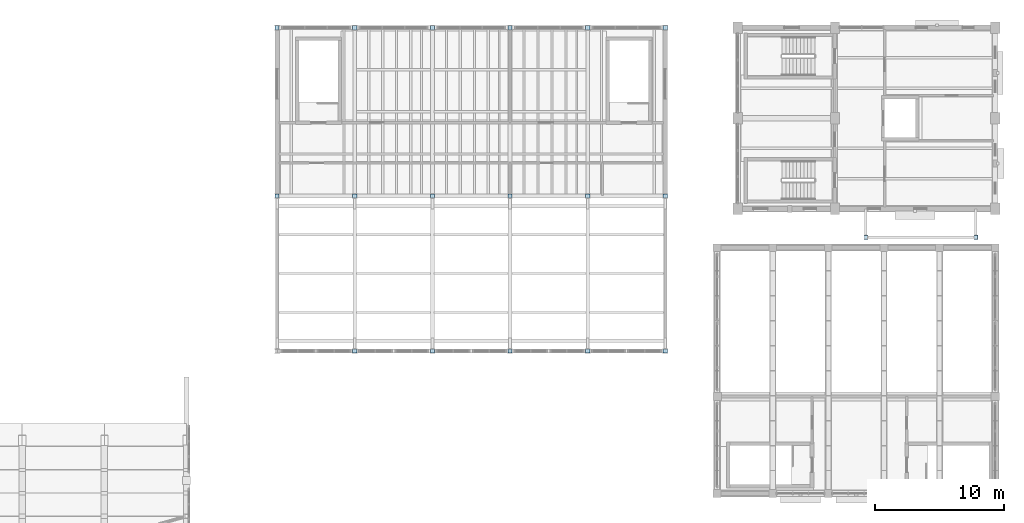
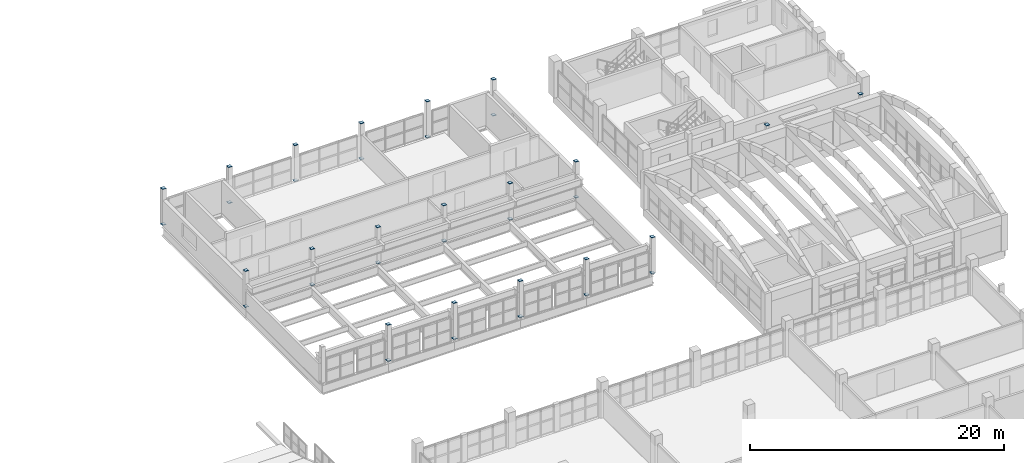
# One storey, part 59 of 77: 36 plates.
"""IFC4 building model written with IfcOpenShell, lengths in metres."""

from ifc_helpers import new_model, si_unit, direction, frame, origin, origin_2d, place, context, subcontext, project, spatial, rectangle, extrude, material, layer, layer_set, type_object, element, save


model = new_model("IFC4")

# Units and contexts
model_context = context("Model", 3, precision=1e-05, world=origin(), true_north=direction((0.0, 1.0)))
body_context = subcontext(model_context, "Body", "Model", "MODEL_VIEW")
ifc_project = project(units=[si_unit("LENGTHUNIT", "METRE"), si_unit("AREAUNIT", "SQUARE_METRE"), si_unit("VOLUMEUNIT", "CUBIC_METRE"), si_unit("PLANEANGLEUNIT", "RADIAN"), si_unit("MASSUNIT", "GRAM", prefix="KILO")], contexts=[model_context])

# Site, building, storey
site_placement = place(None, origin())
site = spatial("IfcSite", under=ifc_project, at=site_placement, CompositionType="ELEMENT")
building_placement = place(site_placement, origin())
building = spatial("IfcBuilding", under=site, at=building_placement, Name="Trellovar Central Fire Station", CompositionType="ELEMENT")
storey_placement = place(building_placement, frame((0.0, 0.0, 5.85009765625)))
storey = spatial("IfcBuildingStorey", under=building, at=storey_placement, Name="L02", CompositionType="ELEMENT", Elevation=5.85009765625)

# Plates
ifc_material = material(Name="Steel ASTM A36", Category="steel")
ifc_layer = layer(ifc_material, 0.02392578125)
ifc_layer_set = layer_set([ifc_layer], Name="Steel ASTM A36")
plate_type = type_object("IfcPlateType", Name="PLT-EP1", PredefinedType="SHEET", material=ifc_layer_set)
for number, where, z_axis, x_axis, name in (
    (1, (151.0, 56.800048828125, 3.43798828125), (0.0, 0.0, 1.0), (1.0, 0.0, 0.0), "HSS end-cap plate 99"),
    (2, (159.5, 56.800048828125, 3.43798828125), (0.0, 0.0, 1.0), (1.0, 0.0, 0.0), "HSS end-cap plate 100"),
    (3, (105.5, 60.0, -0.011962890625), (0.0, 0.0, 1.0), (1.0, 0.0, 0.0), "HSS end-cap plate 306"),
    (4, (105.5, 60.0, 3.43798828125), (0.0, 0.0, 1.0), (1.0, 0.0, 0.0), "HSS end-cap plate 307"),
    (5, (105.5, 73.0, -0.011962890625), (0.0, 0.0, 1.0), (1.0, 0.0, 0.0), "HSS end-cap plate 308"),
    (6, (105.5, 73.0, 3.43798828125), (0.0, 0.0, 1.0), (1.0, 0.0, 0.0), "HSS end-cap plate 309"),
    (7, (111.5, 48.0, -0.011962890625), (0.0, 0.0, 1.0), (1.0, 0.0, 0.0), "HSS end-cap plate 310"),
    (8, (111.5, 48.0, 3.43798828125), (0.0, 0.0, 1.0), (1.0, 0.0, 0.0), "HSS end-cap plate 311"),
    (9, (111.5, 60.0, -0.011962890625), (0.0, 0.0, 1.0), (1.0, 0.0, 0.0), "HSS end-cap plate 312"),
    (10, (111.5, 60.0, 3.43798828125), (0.0, 0.0, 1.0), (1.0, 0.0, 0.0), "HSS end-cap plate 313"),
    (11, (111.5, 73.0, -0.011962890625), (0.0, 0.0, 1.0), (1.0, 0.0, 0.0), "HSS end-cap plate 314"),
    (12, (111.5, 73.0, 3.43798828125), (0.0, 0.0, 1.0), (1.0, 0.0, 0.0), "HSS end-cap plate 315"),
    (13, (117.5, 48.0, -0.011962890625), (0.0, 0.0, 1.0), (1.0, 0.0, 0.0), "HSS end-cap plate 316"),
    (14, (117.5, 48.0, 3.43798828125), (0.0, 0.0, 1.0), (1.0, 0.0, 0.0), "HSS end-cap plate 317"),
    (15, (117.5, 60.0, -0.011962890625), (0.0, 0.0, 1.0), (1.0, 0.0, 0.0), "HSS end-cap plate 318"),
    (16, (117.5, 60.0, 3.43798828125), (0.0, 0.0, 1.0), (1.0, 0.0, 0.0), "HSS end-cap plate 319"),
    (17, (117.5, 73.0, -0.011962890625), (0.0, 0.0, 1.0), (1.0, 0.0, 0.0), "HSS end-cap plate 320"),
    (18, (117.5, 73.0, 3.43798828125), (0.0, 0.0, 1.0), (1.0, 0.0, 0.0), "HSS end-cap plate 321"),
    (19, (123.5, 48.0, -0.011962890625), (0.0, 0.0, 1.0), (1.0, 0.0, 0.0), "HSS end-cap plate 322"),
    (20, (123.5, 48.0, 3.43798828125), (0.0, 0.0, 1.0), (1.0, 0.0, 0.0), "HSS end-cap plate 323"),
    (21, (123.5, 60.0, -0.011962890625), (0.0, 0.0, 1.0), (1.0, 0.0, 0.0), "HSS end-cap plate 324"),
    (22, (123.5, 60.0, 3.43798828125), (0.0, 0.0, 1.0), (1.0, 0.0, 0.0), "HSS end-cap plate 325"),
    (23, (123.5, 73.0, -0.011962890625), (0.0, 0.0, 1.0), (1.0, 0.0, 0.0), "HSS end-cap plate 326"),
    (24, (123.5, 73.0, 3.43798828125), (0.0, 0.0, 1.0), (1.0, 0.0, 0.0), "HSS end-cap plate 327"),
    (25, (129.5, 48.0, -0.011962890625), (0.0, 0.0, 1.0), (1.0, 0.0, 0.0), "HSS end-cap plate 328"),
    (26, (129.5, 48.0, 3.43798828125), (0.0, 0.0, 1.0), (1.0, 0.0, 0.0), "HSS end-cap plate 329"),
    (27, (129.5, 60.0, -0.011962890625), (0.0, 0.0, 1.0), (1.0, 0.0, 0.0), "HSS end-cap plate 330"),
    (28, (129.5, 60.0, 3.43798828125), (0.0, 0.0, 1.0), (1.0, 0.0, 0.0), "HSS end-cap plate 331"),
    (29, (129.5, 73.0, -0.011962890625), (0.0, 0.0, 1.0), (1.0, 0.0, 0.0), "HSS end-cap plate 332"),
    (30, (129.5, 73.0, 3.43798828125), (0.0, 0.0, 1.0), (1.0, 0.0, 0.0), "HSS end-cap plate 333"),
    (31, (135.5, 48.0, -0.011962890625), (0.0, 0.0, 1.0), (1.0, 0.0, 0.0), "HSS end-cap plate 334"),
    (32, (135.5, 48.0, 3.43798828125), (0.0, 0.0, 1.0), (1.0, 0.0, 0.0), "HSS end-cap plate 335"),
    (33, (135.5, 60.0, -0.011962890625), (0.0, 0.0, 1.0), (1.0, 0.0, 0.0), "HSS end-cap plate 336"),
    (34, (135.5, 60.0, 3.43798828125), (0.0, 0.0, 1.0), (1.0, 0.0, 0.0), "HSS end-cap plate 337"),
    (35, (135.5, 73.0, -0.011962890625), (0.0, 0.0, 1.0), (1.0, 0.0, 0.0), "HSS end-cap plate 338"),
    (36, (135.5, 73.0, 3.43798828125), (0.0, 0.0, 1.0), (1.0, 0.0, 0.0), "HSS end-cap plate 339"),
):
    element("IfcPlate", number, at=place(storey_placement, frame(where, z_axis=z_axis, x_axis=x_axis)), inside=storey, type_object=plate_type, Name=name, PredefinedType="SHEET", context=body_context, shape_type="SweptSolid", body=[
        extrude(rectangle(XDim=0.320068359375, YDim=0.320068359375, at=origin_2d()), origin(), (0.0, 0.0, 1.0), 0.02392578125),
    ])

save(model, "model.ifc")
